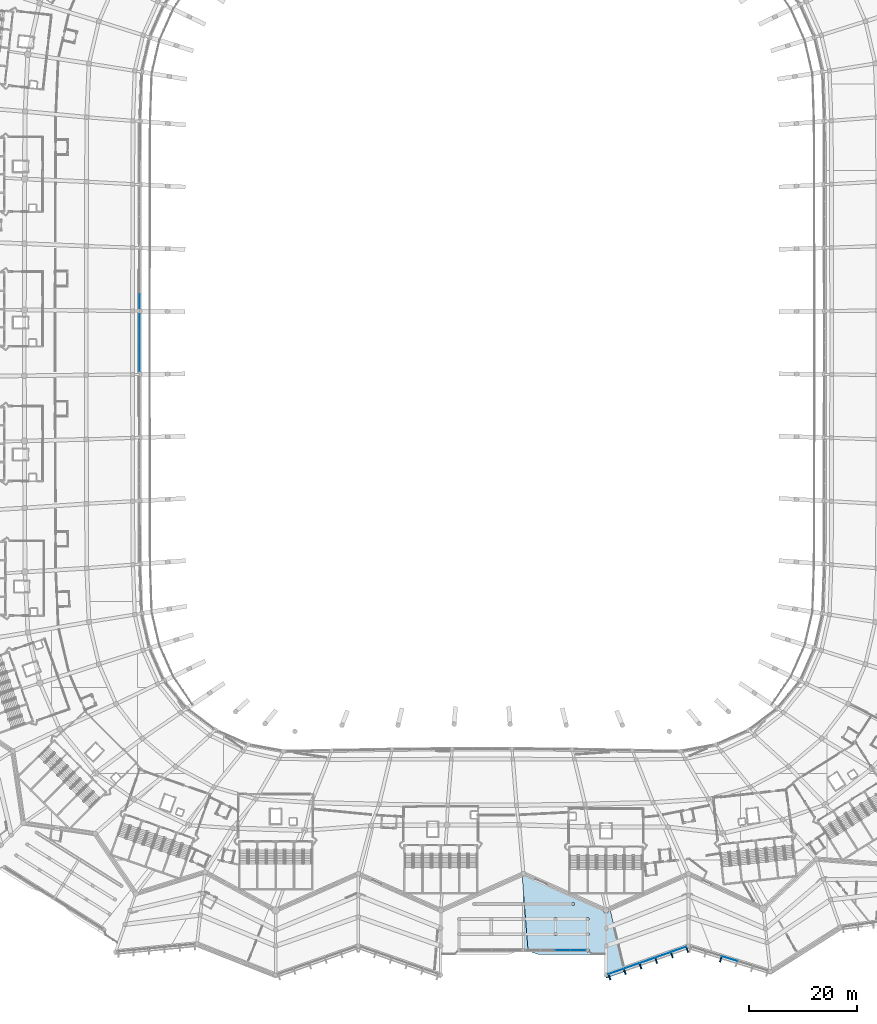
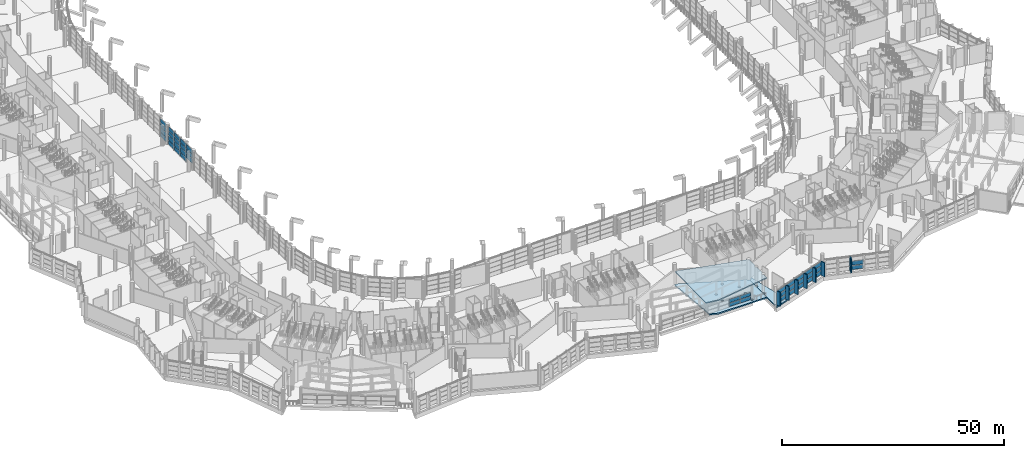
# One storey, part 125 of 271: 47 plates, 3 slabs, 5 elements without a shape of their own.
"""IFC4 building model written with IfcOpenShell, lengths in metres."""

from ifc_helpers import new_model, si_unit, direction, frame, origin, origin_2d, place, context, subcontext, project, spatial, polyline, rectangle, outline, extrude, material, layer, layer_set, type_object, element, aggregate, save


model = new_model("IFC4")

# Units and contexts
model_context = context("Model", 3, precision=1e-05, world=origin(), true_north=direction((0.0, 1.0)))
body_context = subcontext(model_context, "Body", "Model", "MODEL_VIEW")
ifc_project = project(units=[si_unit("LENGTHUNIT", "METRE"), si_unit("AREAUNIT", "SQUARE_METRE"), si_unit("VOLUMEUNIT", "CUBIC_METRE"), si_unit("PLANEANGLEUNIT", "RADIAN"), si_unit("MASSUNIT", "GRAM", prefix="KILO")], contexts=[model_context])

# Site, building, storey
site_placement = place(None, origin())
site = spatial("IfcSite", under=ifc_project, at=site_placement, CompositionType="ELEMENT")
building_placement = place(site_placement, origin())
building = spatial("IfcBuilding", under=site, at=building_placement, Name="Meseta Stadium", CompositionType="ELEMENT")
storey_placement = place(building_placement, frame((0.0, 0.0, 6.5)))
storey = spatial("IfcBuildingStorey", under=building, at=storey_placement, Name="L01", CompositionType="ELEMENT", Elevation=6.5)

# Curtain wall, plates
ifc_material_1 = material(Name="Aluminium", Category="aluminium")
ifc_layer_1 = layer(ifc_material_1, 0.199951171875)
ifc_layer_set_1 = layer_set([ifc_layer_1], Name="Club glazing curtain wall")
curtain_wall_type_1 = type_object("IfcCurtainWallType", Name="Club glazing curtain wall", PredefinedType="NOTDEFINED", material=ifc_layer_set_1)
curtain_wall_1_placement = place(storey_placement, origin())
curtain_wall_1 = element("IfcCurtainWall", 1, at=curtain_wall_1_placement, inside=storey, type_object=curtain_wall_type_1, Name="Club glazing bay 31", PredefinedType="NOTDEFINED")
ifc_material_2 = material(Name="Glass", Category="glass")
ifc_layer_2 = layer(ifc_material_2, 0.028076171875)
ifc_layer_set_2 = layer_set([ifc_layer_2], Name="CW glass panel 28")
plate_type_1 = type_object("IfcPlateType", Name="CW glass panel 28", PredefinedType="CURTAIN_PANEL", material=ifc_layer_set_2)
plate_1_placement = place(storey_placement, frame((-63.596923828125, 7.689697265625, 0.1201171875), z_axis=(0.0, 0.0, 1.0), x_axis=(-0.000924539991, -0.999999572613, 0.0)))
plate_1 = element("IfcPlate", 2, at=plate_1_placement, type_object=plate_type_1, Name="CWC panel 4.1", PredefinedType="CURTAIN_PANEL", context=body_context, shape_type="SweptSolid", body=[
    extrude(rectangle(XDim=2.614013671875, YDim=0.028076171875, at=origin_2d()), origin(), (0.0, 0.0, 1.0), 1.107421875),
])
plate_2_placement = place(storey_placement, frame((-63.596923828125, 7.689697265625, 1.347412109375), z_axis=(0.0, 0.0, 1.0), x_axis=(-0.000924539991, -0.999999572613, 0.0)))
plate_2 = element("IfcPlate", 3, at=plate_2_placement, type_object=plate_type_1, Name="CWC panel 4.2", PredefinedType="CURTAIN_PANEL", context=body_context, shape_type="SweptSolid", body=[
    extrude(rectangle(XDim=2.614013671875, YDim=0.028076171875, at=origin_2d()), origin(), (0.0, 0.0, 1.0), 1.16748046875),
])
plate_3_placement = place(storey_placement, frame((-63.596923828125, 7.689697265625, 2.635009765625), z_axis=(0.0, 0.0, 1.0), x_axis=(-0.000924539991, -0.999999572613, 0.0)))
plate_3 = element("IfcPlate", 4, at=plate_3_placement, type_object=plate_type_1, Name="CWC panel 4.3", PredefinedType="CURTAIN_PANEL", context=body_context, shape_type="SweptSolid", body=[
    extrude(rectangle(XDim=2.614013671875, YDim=0.028076171875, at=origin_2d()), origin(), (0.0, 0.0, 1.0), 1.16748046875),
])
plate_4_placement = place(storey_placement, frame((-63.596923828125, 7.689697265625, 3.922607421875), z_axis=(0.0, 0.0, 1.0), x_axis=(-0.000924539991, -0.999999572613, 0.0)))
plate_4 = element("IfcPlate", 5, at=plate_4_placement, type_object=plate_type_1, Name="CWC panel 4.4", PredefinedType="CURTAIN_PANEL", context=body_context, shape_type="SweptSolid", body=[
    extrude(rectangle(XDim=2.614013671875, YDim=0.028076171875, at=origin_2d()), origin(), (0.0, 0.0, 1.0), 1.107421875),
])
aggregate(curtain_wall_1, [plate_1, plate_2, plate_3, plate_4])

curtain_wall_2_placement = place(storey_placement, origin())
curtain_wall_2 = element("IfcCurtainWall", 6, at=curtain_wall_2_placement, inside=storey, type_object=curtain_wall_type_1, Name="Club glazing bay 32", PredefinedType="NOTDEFINED")
plate_5_placement = place(storey_placement, frame((-63.5986328125, 4.0302734375, 0.1201171875), z_axis=(0.0, 0.0, 1.0), x_axis=(0.0, -1.0, 0.0)))
plate_5 = element("IfcPlate", 7, at=plate_5_placement, type_object=plate_type_1, Name="CWC panel 1.1", PredefinedType="CURTAIN_PANEL", context=body_context, shape_type="SweptSolid", body=[
    extrude(rectangle(XDim=2.60693359375, YDim=0.028076171875, at=origin_2d()), origin(), (0.0, 0.0, 1.0), 1.107421875),
])
plate_6_placement = place(storey_placement, frame((-63.5986328125, 4.0302734375, 1.347412109375), z_axis=(0.0, 0.0, 1.0), x_axis=(0.0, -1.0, 0.0)))
plate_6 = element("IfcPlate", 8, at=plate_6_placement, type_object=plate_type_1, Name="CWC panel 1.2", PredefinedType="CURTAIN_PANEL", context=body_context, shape_type="SweptSolid", body=[
    extrude(rectangle(XDim=2.60693359375, YDim=0.028076171875, at=origin_2d()), origin(), (0.0, 0.0, 1.0), 1.16748046875),
])
plate_7_placement = place(storey_placement, frame((-63.5986328125, 4.0302734375, 2.635009765625), z_axis=(0.0, 0.0, 1.0), x_axis=(0.0, -1.0, 0.0)))
plate_7 = element("IfcPlate", 9, at=plate_7_placement, type_object=plate_type_1, Name="CWC panel 1.3", PredefinedType="CURTAIN_PANEL", context=body_context, shape_type="SweptSolid", body=[
    extrude(rectangle(XDim=2.60693359375, YDim=0.028076171875, at=origin_2d()), origin(), (0.0, 0.0, 1.0), 1.16748046875),
])
plate_8_placement = place(storey_placement, frame((-63.5986328125, 4.0302734375, 3.922607421875), z_axis=(0.0, 0.0, 1.0), x_axis=(0.0, -1.0, 0.0)))
plate_8 = element("IfcPlate", 10, at=plate_8_placement, type_object=plate_type_1, Name="CWC panel 1.4", PredefinedType="CURTAIN_PANEL", context=body_context, shape_type="SweptSolid", body=[
    extrude(rectangle(XDim=2.60693359375, YDim=0.028076171875, at=origin_2d()), origin(), (0.0, 0.0, 1.0), 1.107421875),
])
plate_9_placement = place(storey_placement, frame((-63.5986328125, 1.348388671875, 0.1201171875), z_axis=(0.0, 0.0, 1.0), x_axis=(0.0, -1.0, 0.0)))
plate_9 = element("IfcPlate", 11, at=plate_9_placement, type_object=plate_type_1, Name="CWC panel 2.1", PredefinedType="CURTAIN_PANEL", context=body_context, shape_type="SweptSolid", body=[
    extrude(rectangle(XDim=2.636962890625, YDim=0.028076171875, at=origin_2d()), origin(), (0.0, 0.0, 1.0), 1.107421875),
])
plate_10_placement = place(storey_placement, frame((-63.5986328125, 1.348388671875, 1.347412109375), z_axis=(0.0, 0.0, 1.0), x_axis=(0.0, -1.0, 0.0)))
plate_10 = element("IfcPlate", 12, at=plate_10_placement, type_object=plate_type_1, Name="CWC panel 2.2", PredefinedType="CURTAIN_PANEL", context=body_context, shape_type="SweptSolid", body=[
    extrude(rectangle(XDim=2.636962890625, YDim=0.028076171875, at=origin_2d()), origin(), (0.0, 0.0, 1.0), 1.16748046875),
])
plate_11_placement = place(storey_placement, frame((-63.5986328125, 1.348388671875, 2.635009765625), z_axis=(0.0, 0.0, 1.0), x_axis=(0.0, -1.0, 0.0)))
plate_11 = element("IfcPlate", 13, at=plate_11_placement, type_object=plate_type_1, Name="CWC panel 2.3", PredefinedType="CURTAIN_PANEL", context=body_context, shape_type="SweptSolid", body=[
    extrude(rectangle(XDim=2.636962890625, YDim=0.028076171875, at=origin_2d()), origin(), (0.0, 0.0, 1.0), 1.16748046875),
])
plate_12_placement = place(storey_placement, frame((-63.5986328125, 1.348388671875, 3.922607421875), z_axis=(0.0, 0.0, 1.0), x_axis=(0.0, -1.0, 0.0)))
plate_12 = element("IfcPlate", 14, at=plate_12_placement, type_object=plate_type_1, Name="CWC panel 2.4", PredefinedType="CURTAIN_PANEL", context=body_context, shape_type="SweptSolid", body=[
    extrude(rectangle(XDim=2.636962890625, YDim=0.028076171875, at=origin_2d()), origin(), (0.0, 0.0, 1.0), 1.107421875),
])
plate_13_placement = place(storey_placement, frame((-63.5986328125, -1.348388671875, 0.1201171875), z_axis=(0.0, 0.0, 1.0), x_axis=(0.0, -1.0, 0.0)))
plate_13 = element("IfcPlate", 15, at=plate_13_placement, type_object=plate_type_1, Name="CWC panel 3.1", PredefinedType="CURTAIN_PANEL", context=body_context, shape_type="SweptSolid", body=[
    extrude(rectangle(XDim=2.636962890625, YDim=0.028076171875, at=origin_2d()), origin(), (0.0, 0.0, 1.0), 1.107421875),
])
plate_14_placement = place(storey_placement, frame((-63.5986328125, -1.348388671875, 1.347412109375), z_axis=(0.0, 0.0, 1.0), x_axis=(0.0, -1.0, 0.0)))
plate_14 = element("IfcPlate", 16, at=plate_14_placement, type_object=plate_type_1, Name="CWC panel 3.2", PredefinedType="CURTAIN_PANEL", context=body_context, shape_type="SweptSolid", body=[
    extrude(rectangle(XDim=2.636962890625, YDim=0.028076171875, at=origin_2d()), origin(), (0.0, 0.0, 1.0), 1.16748046875),
])
plate_15_placement = place(storey_placement, frame((-63.5986328125, -1.348388671875, 2.635009765625), z_axis=(0.0, 0.0, 1.0), x_axis=(0.0, -1.0, 0.0)))
plate_15 = element("IfcPlate", 17, at=plate_15_placement, type_object=plate_type_1, Name="CWC panel 3.3", PredefinedType="CURTAIN_PANEL", context=body_context, shape_type="SweptSolid", body=[
    extrude(rectangle(XDim=2.636962890625, YDim=0.028076171875, at=origin_2d()), origin(), (0.0, 0.0, 1.0), 1.16748046875),
])
plate_16_placement = place(storey_placement, frame((-63.5986328125, -1.348388671875, 3.922607421875), z_axis=(0.0, 0.0, 1.0), x_axis=(0.0, -1.0, 0.0)))
plate_16 = element("IfcPlate", 18, at=plate_16_placement, type_object=plate_type_1, Name="CWC panel 3.4", PredefinedType="CURTAIN_PANEL", context=body_context, shape_type="SweptSolid", body=[
    extrude(rectangle(XDim=2.636962890625, YDim=0.028076171875, at=origin_2d()), origin(), (0.0, 0.0, 1.0), 1.107421875),
])
plate_17_placement = place(storey_placement, frame((-63.5986328125, -4.0302734375, 1.347412109375), z_axis=(0.0, 0.0, 1.0), x_axis=(0.0, -1.0, 0.0)))
plate_17 = element("IfcPlate", 19, at=plate_17_placement, type_object=plate_type_1, Name="CWC panel 4.2", PredefinedType="CURTAIN_PANEL", context=body_context, shape_type="SweptSolid", body=[
    extrude(rectangle(XDim=2.60693359375, YDim=0.028076171875, at=origin_2d()), origin(), (0.0, 0.0, 1.0), 1.16748046875),
])
plate_18_placement = place(storey_placement, frame((-63.5986328125, -4.0302734375, 2.635009765625), z_axis=(0.0, 0.0, 1.0), x_axis=(0.0, -1.0, 0.0)))
plate_18 = element("IfcPlate", 20, at=plate_18_placement, type_object=plate_type_1, Name="CWC panel 4.3", PredefinedType="CURTAIN_PANEL", context=body_context, shape_type="SweptSolid", body=[
    extrude(rectangle(XDim=2.60693359375, YDim=0.028076171875, at=origin_2d()), origin(), (0.0, 0.0, 1.0), 1.16748046875),
])
plate_19_placement = place(storey_placement, frame((-63.5986328125, -4.0302734375, 3.922607421875), z_axis=(0.0, 0.0, 1.0), x_axis=(0.0, -1.0, 0.0)))
plate_19 = element("IfcPlate", 21, at=plate_19_placement, type_object=plate_type_1, Name="CWC panel 4.4", PredefinedType="CURTAIN_PANEL", context=body_context, shape_type="SweptSolid", body=[
    extrude(rectangle(XDim=2.60693359375, YDim=0.028076171875, at=origin_2d()), origin(), (0.0, 0.0, 1.0), 1.107421875),
])
aggregate(curtain_wall_2, [plate_5, plate_6, plate_7, plate_8, plate_9, plate_10, plate_11, plate_12, plate_13, plate_14, plate_15, plate_16, plate_17, plate_18, plate_19])

# Slabs
ifc_material_3 = material(Name="Concrete C40/50", Category="concrete")
ifc_layer_3 = layer(ifc_material_3, 0.35009765625)
ifc_layer_set_3 = layer_set([ifc_layer_3], Name="Floor slab 350")
slab_type_1 = type_object("IfcSlabType", Name="Floor slab 350", PredefinedType="FLOOR", material=ifc_layer_set_3)
slab_1_placement = place(storey_placement, frame((0.0, 0.0, -0.35009765625)))
element("IfcSlab", 22, at=slab_1_placement, inside=storey, type_object=slab_type_1, Name="Gate hall floor slab 7 panel 02", PredefinedType="FLOOR", context=body_context, shape_type="SweptSolid", body=[
    extrude(outline(polyline([(7.859619140625, -104.43017578125), (8.531982421875, -112.90478515625), (10.506103515625, -113.60009765625), (23.0, -113.60009765625), (23.0, -105.904296875), (22.869384765625, -105.88720703125), (22.747802734375, -105.836669921875), (22.643310546875, -105.756591796875), (22.563232421875, -105.652099609375), (22.512939453125, -105.530517578125), (22.49560546875, -105.39990234375), (22.4990234375, -105.374755859375), (7.972412109375, -98.9326171875), (7.8935546875, -98.9931640625), (7.7841796875, -99.038330078125), (7.666748046875, -99.053955078125), (7.54931640625, -99.038330078125), (7.439697265625, -98.9931640625), (7.42724609375, -98.9833984375), (7.820556640625, -103.93994140625), (7.880615234375, -103.986083984375), (7.9287109375, -104.048583984375), (7.958984375, -104.12158203125), (7.96923828125, -104.199951171875), (7.958984375, -104.2783203125), (7.9287109375, -104.351318359375), (7.880615234375, -104.4140625), (7.859619140625, -104.43017578125)]), holes=[polyline([(19.44873046875, -110.06201171875), (19.385986328125, -110.013916015625), (19.337890625, -109.951416015625), (19.3076171875, -109.87841796875), (19.29736328125, -109.800048828125), (19.3076171875, -109.7216796875), (19.337890625, -109.648681640625), (19.385986328125, -109.5859375), (19.44873046875, -109.5380859375), (19.521728515625, -109.5078125), (19.60009765625, -109.497314453125), (19.67822265625, -109.5078125), (19.751220703125, -109.5380859375), (19.81396484375, -109.5859375), (19.862060546875, -109.648681640625), (19.892333984375, -109.7216796875), (19.902587890625, -109.800048828125), (19.892333984375, -109.87841796875), (19.862060546875, -109.951416015625), (19.81396484375, -110.013916015625), (19.751220703125, -110.06201171875), (19.67822265625, -110.09228515625), (19.60009765625, -110.1025390625), (19.521728515625, -110.09228515625), (19.44873046875, -110.06201171875)]), polyline([(19.44873046875, -112.5380859375), (19.521728515625, -112.5078125), (19.60009765625, -112.497314453125), (19.67822265625, -112.5078125), (19.751220703125, -112.5380859375), (19.81396484375, -112.5859375), (19.862060546875, -112.648681640625), (19.892333984375, -112.7216796875), (19.902587890625, -112.800048828125), (19.892333984375, -112.87841796875), (19.862060546875, -112.951416015625), (19.81396484375, -113.013916015625), (19.751220703125, -113.06201171875), (19.67822265625, -113.09228515625), (19.60009765625, -113.1025390625), (19.521728515625, -113.09228515625), (19.44873046875, -113.06201171875), (19.385986328125, -113.013916015625), (19.337890625, -112.951416015625), (19.3076171875, -112.87841796875), (19.29736328125, -112.800048828125), (19.3076171875, -112.7216796875), (19.337890625, -112.648681640625), (19.385986328125, -112.5859375), (19.44873046875, -112.5380859375)]), polyline([(13.371337890625, -107.1513671875), (13.341064453125, -107.078369140625), (13.330810546875, -107.0), (13.341064453125, -106.921630859375), (13.371337890625, -106.8486328125), (13.41943359375, -106.785888671875), (13.48193359375, -106.738037109375), (13.554931640625, -106.707763671875), (13.63330078125, -106.697509765625), (13.711669921875, -106.707763671875), (13.78466796875, -106.738037109375), (13.847412109375, -106.785888671875), (13.8955078125, -106.8486328125), (13.925537109375, -106.921630859375), (13.935791015625, -107.0), (13.925537109375, -107.078369140625), (13.8955078125, -107.1513671875), (13.847412109375, -107.214111328125), (13.78466796875, -107.261962890625), (13.711669921875, -107.292236328125), (13.63330078125, -107.302490234375), (13.554931640625, -107.292236328125), (13.48193359375, -107.261962890625), (13.41943359375, -107.214111328125), (13.371337890625, -107.1513671875)]), polyline([(19.337890625, -107.1513671875), (19.3076171875, -107.078369140625), (19.29736328125, -107.0), (19.3076171875, -106.921630859375), (19.337890625, -106.8486328125), (19.385986328125, -106.785888671875), (19.44873046875, -106.738037109375), (19.521728515625, -106.707763671875), (19.60009765625, -106.697509765625), (19.67822265625, -106.707763671875), (19.751220703125, -106.738037109375), (19.81396484375, -106.785888671875), (19.862060546875, -106.8486328125), (19.892333984375, -106.921630859375), (19.902587890625, -107.0), (19.892333984375, -107.078369140625), (19.862060546875, -107.1513671875), (19.81396484375, -107.214111328125), (19.751220703125, -107.261962890625), (19.67822265625, -107.292236328125), (19.60009765625, -107.302490234375), (19.521728515625, -107.292236328125), (19.44873046875, -107.261962890625), (19.385986328125, -107.214111328125), (19.337890625, -107.1513671875)]), polyline([(13.371337890625, -109.951416015625), (13.341064453125, -109.87841796875), (13.330810546875, -109.800048828125), (13.341064453125, -109.7216796875), (13.371337890625, -109.648681640625), (13.41943359375, -109.5859375), (13.48193359375, -109.5380859375), (13.554931640625, -109.5078125), (13.63330078125, -109.497314453125), (13.711669921875, -109.5078125), (13.78466796875, -109.5380859375), (13.847412109375, -109.5859375), (13.8955078125, -109.648681640625), (13.925537109375, -109.7216796875), (13.935791015625, -109.800048828125), (13.925537109375, -109.87841796875), (13.8955078125, -109.951416015625), (13.847412109375, -110.013916015625), (13.78466796875, -110.06201171875), (13.711669921875, -110.09228515625), (13.63330078125, -110.1025390625), (13.554931640625, -110.09228515625), (13.48193359375, -110.06201171875), (13.41943359375, -110.013916015625), (13.371337890625, -109.951416015625)]), polyline([(16.69873046875, -104.4619140625), (16.63623046875, -104.4140625), (16.588134765625, -104.351318359375), (16.557861328125, -104.2783203125), (16.547607421875, -104.199951171875), (16.557861328125, -104.12158203125), (16.588134765625, -104.048583984375), (16.63623046875, -103.986083984375), (16.69873046875, -103.93798828125), (16.771728515625, -103.90771484375), (16.85009765625, -103.8974609375), (16.928466796875, -103.90771484375), (17.00146484375, -103.93798828125), (17.064208984375, -103.986083984375), (17.1123046875, -104.048583984375), (17.142333984375, -104.12158203125), (17.152587890625, -104.199951171875), (17.142333984375, -104.2783203125), (17.1123046875, -104.351318359375), (17.064208984375, -104.4140625), (17.00146484375, -104.4619140625), (16.928466796875, -104.4921875), (16.85009765625, -104.502685546875), (16.771728515625, -104.4921875), (16.69873046875, -104.4619140625)])]), origin(), (0.0, 0.0, 1.0), 0.35009765625),
])
slab_2_placement = place(storey_placement, frame((0.0, 0.0, -0.35009765625)))
element("IfcSlab", 23, at=slab_2_placement, inside=storey, type_object=slab_type_1, Name="Ring floor slab L01 7 part 1 panel 01", PredefinedType="FLOOR", context=body_context, shape_type="SweptSolid", body=[
    extrude(outline(polyline([(23.767578125, -105.2236328125), (23.496826171875, -105.34375), (23.50439453125, -105.39990234375), (23.487060546875, -105.530517578125), (23.436767578125, -105.652099609375), (23.356689453125, -105.756591796875), (23.252197265625, -105.836669921875), (23.130615234375, -105.88720703125), (23.0, -105.904296875), (23.0, -108.29638671875), (23.1044921875, -108.310302734375), (23.20166015625, -108.3505859375), (23.285400390625, -108.414794921875), (23.349365234375, -108.498291015625), (23.37158203125, -108.552001953125), (23.3896484375, -108.595703125), (23.403564453125, -108.699951171875), (23.3896484375, -108.804443359375), (23.349365234375, -108.901611328125), (23.285400390625, -108.9853515625), (23.20166015625, -109.04931640625), (23.1044921875, -109.089599609375), (23.0, -109.103515625), (23.0, -111.596435546875), (23.1044921875, -111.6103515625), (23.20166015625, -111.650634765625), (23.285400390625, -111.714599609375), (23.349365234375, -111.79833984375), (23.3896484375, -111.8955078125), (23.403564453125, -112.0), (23.3896484375, -112.1044921875), (23.349365234375, -112.20166015625), (23.285400390625, -112.285400390625), (23.20166015625, -112.349365234375), (23.1044921875, -112.3896484375), (23.0, -112.403564453125), (23.0, -116.99658203125), (23.1044921875, -117.01025390625), (23.20166015625, -117.050537109375), (23.285400390625, -117.11474609375), (23.349365234375, -117.1982421875), (23.3896484375, -117.295654296875), (23.403564453125, -117.39990234375), (23.3896484375, -117.50439453125), (23.349365234375, -117.601806640625), (23.285400390625, -117.685302734375), (23.20166015625, -117.74951171875), (23.1044921875, -117.789794921875), (23.0, -117.803466796875), (23.0, -118.0), (26.514892578125, -116.76220703125), (23.767578125, -105.2236328125)])), origin(), (0.0, 0.0, 1.0), 0.35009765625),
])
ifc_material_4 = material(Name="Concrete C40/50", Category="concrete")
ifc_layer_4 = layer(ifc_material_4, 0.300048828125)
ifc_layer_set_4 = layer_set([ifc_layer_4], Name="Gate roof plate 300")
slab_type_2 = type_object("IfcSlabType", Name="Gate roof plate 300", PredefinedType="ROOF", material=ifc_layer_set_4)
slab_3_placement = place(storey_placement, frame((23.0, -113.60009765625, 5.367919921875), z_axis=(-0.138626291387, -0.019802302062, 0.990146766984), x_axis=(1.678586e-06, 0.999800068064, 0.019995596922)))
element("IfcSlab", 24, at=slab_3_placement, inside=storey, type_object=slab_type_2, Name="Gate 7 butterfly roof wing", PredefinedType="ROOF", context=body_context, shape_type="SweptSolid", body=[
    extrude(outline(polyline([(0.0, 0.0), (8.004776157907482, 0.0), (14.763233710626649, 15.482752183496082), (0.9572495142582244, 15.482738127618877), (-0.03499373974458992, 12.615677062618307), (0.0, 0.0)])), origin(), (0.0, 0.0, -1.0), 0.300048828125),
])

# Curtain wall, plates
ifc_material_5 = material(Name="Aluminium", Category="aluminium")
ifc_layer_5 = layer(ifc_material_5, 0.199951171875)
ifc_layer_set_5 = layer_set([ifc_layer_5], Name="Ring shopfront curtain wall")
curtain_wall_type_2 = type_object("IfcCurtainWallType", Name="Ring shopfront curtain wall", PredefinedType="NOTDEFINED", material=ifc_layer_set_5)
curtain_wall_3_placement = place(storey_placement, origin())
curtain_wall_3 = element("IfcCurtainWall", 25, at=curtain_wall_3_placement, inside=storey, type_object=curtain_wall_type_2, Name="Ring glazing L01 F48", PredefinedType="NOTDEFINED")
ifc_material_6 = material(Name="Glass", Category="glass")
ifc_layer_6 = layer(ifc_material_6, 0.035888671875)
ifc_layer_set_6 = layer_set([ifc_layer_6], Name="Ring CW glass panel 36")
plate_type_2 = type_object("IfcPlateType", Name="Ring CW glass panel 36", PredefinedType="CURTAIN_PANEL", material=ifc_layer_set_6)
plate_20_placement = place(storey_placement, frame((24.849365234375, -116.748779296875, 0.14990234375), z_axis=(0.0, 0.0, 1.0), x_axis=(0.943218009999, 0.332174330154, 0.0)))
plate_20 = element("IfcPlate", 26, at=plate_20_placement, type_object=plate_type_2, Name="CWR1 panel 1.1", PredefinedType="CURTAIN_PANEL", context=body_context, shape_type="SweptSolid", body=[
    extrude(rectangle(XDim=3.001220703125, YDim=0.035888671875, at=origin_2d()), origin(), (0.0, 0.0, 1.0), 1.058349609375),
])
plate_21_placement = place(storey_placement, frame((24.849365234375, -116.748779296875, 1.3583984375), z_axis=(0.0, 0.0, 1.0), x_axis=(0.943218009999, 0.332174330154, 0.0)))
plate_21 = element("IfcPlate", 27, at=plate_21_placement, type_object=plate_type_2, Name="CWR1 panel 1.2", PredefinedType="CURTAIN_PANEL", context=body_context, shape_type="SweptSolid", body=[
    extrude(rectangle(XDim=3.001220703125, YDim=0.035888671875, at=origin_2d()), origin(), (0.0, 0.0, 1.0), 1.13330078125),
])
plate_22_placement = place(storey_placement, frame((24.849365234375, -116.748779296875, 2.6416015625), z_axis=(0.0, 0.0, 1.0), x_axis=(0.943218009999, 0.332174330154, 0.0)))
plate_22 = element("IfcPlate", 28, at=plate_22_placement, type_object=plate_type_2, Name="CWR1 panel 1.3", PredefinedType="CURTAIN_PANEL", context=body_context, shape_type="SweptSolid", body=[
    extrude(rectangle(XDim=3.001220703125, YDim=0.035888671875, at=origin_2d()), origin(), (0.0, 0.0, 1.0), 1.058349609375),
])
plate_23_placement = place(storey_placement, frame((27.7509765625, -115.726806640625, 0.14990234375), z_axis=(0.0, 0.0, 1.0), x_axis=(0.943218009999, 0.332174330154, 0.0)))
plate_23 = element("IfcPlate", 29, at=plate_23_placement, type_object=plate_type_2, Name="CWR1 panel 2.1", PredefinedType="CURTAIN_PANEL", context=body_context, shape_type="SweptSolid", body=[
    extrude(rectangle(XDim=3.03125, YDim=0.035888671875, at=origin_2d()), origin(), (0.0, 0.0, 1.0), 1.058349609375),
])
plate_24_placement = place(storey_placement, frame((27.7509765625, -115.726806640625, 1.3583984375), z_axis=(0.0, 0.0, 1.0), x_axis=(0.943218009999, 0.332174330154, 0.0)))
plate_24 = element("IfcPlate", 30, at=plate_24_placement, type_object=plate_type_2, Name="CWR1 panel 2.2", PredefinedType="CURTAIN_PANEL", context=body_context, shape_type="SweptSolid", body=[
    extrude(rectangle(XDim=3.03125, YDim=0.035888671875, at=origin_2d()), origin(), (0.0, 0.0, 1.0), 1.13330078125),
])
plate_25_placement = place(storey_placement, frame((27.7509765625, -115.726806640625, 2.6416015625), z_axis=(0.0, 0.0, 1.0), x_axis=(0.943218009999, 0.332174330154, 0.0)))
plate_25 = element("IfcPlate", 31, at=plate_25_placement, type_object=plate_type_2, Name="CWR1 panel 2.3", PredefinedType="CURTAIN_PANEL", context=body_context, shape_type="SweptSolid", body=[
    extrude(rectangle(XDim=3.03125, YDim=0.035888671875, at=origin_2d()), origin(), (0.0, 0.0, 1.0), 1.058349609375),
])
plate_26_placement = place(storey_placement, frame((30.666748046875, -114.699951171875, 0.14990234375), z_axis=(0.0, 0.0, 1.0), x_axis=(0.943218009999, 0.332174330154, 0.0)))
plate_26 = element("IfcPlate", 32, at=plate_26_placement, type_object=plate_type_2, Name="CWR1 panel 3.1", PredefinedType="CURTAIN_PANEL", context=body_context, shape_type="SweptSolid", body=[
    extrude(rectangle(XDim=3.03125, YDim=0.035888671875, at=origin_2d()), origin(), (0.0, 0.0, 1.0), 1.058349609375),
])
plate_27_placement = place(storey_placement, frame((30.666748046875, -114.699951171875, 1.3583984375), z_axis=(0.0, 0.0, 1.0), x_axis=(0.943218009999, 0.332174330154, 0.0)))
plate_27 = element("IfcPlate", 33, at=plate_27_placement, type_object=plate_type_2, Name="CWR1 panel 3.2", PredefinedType="CURTAIN_PANEL", context=body_context, shape_type="SweptSolid", body=[
    extrude(rectangle(XDim=3.03125, YDim=0.035888671875, at=origin_2d()), origin(), (0.0, 0.0, 1.0), 1.13330078125),
])
plate_28_placement = place(storey_placement, frame((30.666748046875, -114.699951171875, 2.6416015625), z_axis=(0.0, 0.0, 1.0), x_axis=(0.943218009999, 0.332174330154, 0.0)))
plate_28 = element("IfcPlate", 34, at=plate_28_placement, type_object=plate_type_2, Name="CWR1 panel 3.3", PredefinedType="CURTAIN_PANEL", context=body_context, shape_type="SweptSolid", body=[
    extrude(rectangle(XDim=3.03125, YDim=0.035888671875, at=origin_2d()), origin(), (0.0, 0.0, 1.0), 1.058349609375),
])
plate_29_placement = place(storey_placement, frame((33.582275390625, -113.673095703125, 0.14990234375), z_axis=(0.0, 0.0, 1.0), x_axis=(0.943218009999, 0.332174330154, 0.0)))
plate_29 = element("IfcPlate", 35, at=plate_29_placement, type_object=plate_type_2, Name="CWR1 panel 4.1", PredefinedType="CURTAIN_PANEL", context=body_context, shape_type="SweptSolid", body=[
    extrude(rectangle(XDim=3.03125, YDim=0.035888671875, at=origin_2d()), origin(), (0.0, 0.0, 1.0), 1.058349609375),
])
plate_30_placement = place(storey_placement, frame((33.582275390625, -113.673095703125, 1.3583984375), z_axis=(0.0, 0.0, 1.0), x_axis=(0.943218009999, 0.332174330154, 0.0)))
plate_30 = element("IfcPlate", 36, at=plate_30_placement, type_object=plate_type_2, Name="CWR1 panel 4.2", PredefinedType="CURTAIN_PANEL", context=body_context, shape_type="SweptSolid", body=[
    extrude(rectangle(XDim=3.03125, YDim=0.035888671875, at=origin_2d()), origin(), (0.0, 0.0, 1.0), 1.13330078125),
])
plate_31_placement = place(storey_placement, frame((33.582275390625, -113.673095703125, 2.6416015625), z_axis=(0.0, 0.0, 1.0), x_axis=(0.943218009999, 0.332174330154, 0.0)))
plate_31 = element("IfcPlate", 37, at=plate_31_placement, type_object=plate_type_2, Name="CWR1 panel 4.3", PredefinedType="CURTAIN_PANEL", context=body_context, shape_type="SweptSolid", body=[
    extrude(rectangle(XDim=3.03125, YDim=0.035888671875, at=origin_2d()), origin(), (0.0, 0.0, 1.0), 1.058349609375),
])
plate_32_placement = place(storey_placement, frame((36.48388671875, -112.6513671875, 0.14990234375), z_axis=(0.0, 0.0, 1.0), x_axis=(0.943218009999, 0.332174330154, 0.0)))
plate_32 = element("IfcPlate", 38, at=plate_32_placement, type_object=plate_type_2, Name="CWR1 panel 5.1", PredefinedType="CURTAIN_PANEL", context=body_context, shape_type="SweptSolid", body=[
    extrude(rectangle(XDim=3.001220703125, YDim=0.035888671875, at=origin_2d()), origin(), (0.0, 0.0, 1.0), 1.058349609375),
])
plate_33_placement = place(storey_placement, frame((36.48388671875, -112.6513671875, 1.3583984375), z_axis=(0.0, 0.0, 1.0), x_axis=(0.943218009999, 0.332174330154, 0.0)))
plate_33 = element("IfcPlate", 39, at=plate_33_placement, type_object=plate_type_2, Name="CWR1 panel 5.2", PredefinedType="CURTAIN_PANEL", context=body_context, shape_type="SweptSolid", body=[
    extrude(rectangle(XDim=3.001220703125, YDim=0.035888671875, at=origin_2d()), origin(), (0.0, 0.0, 1.0), 1.13330078125),
])
plate_34_placement = place(storey_placement, frame((36.48388671875, -112.6513671875, 2.6416015625), z_axis=(0.0, 0.0, 1.0), x_axis=(0.943218009999, 0.332174330154, 0.0)))
plate_34 = element("IfcPlate", 40, at=plate_34_placement, type_object=plate_type_2, Name="CWR1 panel 5.3", PredefinedType="CURTAIN_PANEL", context=body_context, shape_type="SweptSolid", body=[
    extrude(rectangle(XDim=3.001220703125, YDim=0.035888671875, at=origin_2d()), origin(), (0.0, 0.0, 1.0), 1.058349609375),
])
aggregate(curtain_wall_3, [plate_20, plate_21, plate_22, plate_23, plate_24, plate_25, plate_26, plate_27, plate_28, plate_29, plate_30, plate_31, plate_32, plate_33, plate_34])

curtain_wall_4_placement = place(storey_placement, origin())
curtain_wall_4 = element("IfcCurtainWall", 41, at=curtain_wall_4_placement, inside=storey, type_object=curtain_wall_type_2, Name="Ring glazing L01 F49", PredefinedType="NOTDEFINED")
plate_35_placement = place(storey_placement, frame((45.926513671875, -114.369140625, 0.14990234375), z_axis=(0.0, 0.0, 1.0), x_axis=(0.95460920309, -0.297861157885, 0.0)))
plate_35 = element("IfcPlate", 42, at=plate_35_placement, type_object=plate_type_2, Name="CWR1 panel 3.1", PredefinedType="CURTAIN_PANEL", context=body_context, shape_type="SweptSolid", body=[
    extrude(rectangle(XDim=2.961669921875, YDim=0.035888671875, at=origin_2d()), origin(), (0.0, 0.0, 1.0), 1.058349609375),
])
plate_36_placement = place(storey_placement, frame((45.926513671875, -114.369140625, 1.3583984375), z_axis=(0.0, 0.0, 1.0), x_axis=(0.95460920309, -0.297861157885, 0.0)))
plate_36 = element("IfcPlate", 43, at=plate_36_placement, type_object=plate_type_2, Name="CWR1 panel 3.2", PredefinedType="CURTAIN_PANEL", context=body_context, shape_type="SweptSolid", body=[
    extrude(rectangle(XDim=2.961669921875, YDim=0.035888671875, at=origin_2d()), origin(), (0.0, 0.0, 1.0), 1.13330078125),
])
aggregate(curtain_wall_4, [plate_35, plate_36])

ifc_material_7 = material(Name="Aluminium", Category="aluminium")
ifc_layer_7 = layer(ifc_material_7, 0.199951171875)
ifc_layer_set_7 = layer_set([ifc_layer_7], Name="Gate hall curtain wall")
curtain_wall_type_3 = type_object("IfcCurtainWallType", Name="Gate hall curtain wall", PredefinedType="NOTDEFINED", material=ifc_layer_set_7)
curtain_wall_5_placement = place(storey_placement, origin())
curtain_wall_5 = element("IfcCurtainWall", 44, at=curtain_wall_5_placement, inside=storey, type_object=curtain_wall_type_3, Name="Gate 7 hall glazing", PredefinedType="NOTDEFINED")
plate_37_placement = place(storey_placement, frame((17.868408203125, -112.800048828125, 0.14990234375), z_axis=(0.0, 0.0, 1.0), x_axis=(-1.0, 0.0, 0.0)))
plate_37 = element("IfcPlate", 45, at=plate_37_placement, type_object=plate_type_2, Name="CWG1 panel 1.1", PredefinedType="CURTAIN_PANEL", context=body_context, shape_type="SweptSolid", body=[
    extrude(rectangle(XDim=2.743408203125, YDim=0.035888671875, at=origin_2d()), origin(), (0.0, 0.0, 1.0), 0.924560546875),
])
plate_38_placement = place(storey_placement, frame((17.868408203125, -112.800048828125, 1.224609375), z_axis=(0.0, 0.0, 1.0), x_axis=(-1.0, 0.0, 0.0)))
plate_38 = element("IfcPlate", 46, at=plate_38_placement, type_object=plate_type_2, Name="CWG1 panel 1.2", PredefinedType="CURTAIN_PANEL", context=body_context, shape_type="SweptSolid", body=[
    extrude(rectangle(XDim=2.743408203125, YDim=0.035888671875, at=origin_2d()), origin(), (0.0, 0.0, 1.0), 0.924560546875),
])
plate_39_placement = place(storey_placement, frame((15.050048828125, -112.800048828125, 0.14990234375), z_axis=(0.0, 0.0, 1.0), x_axis=(-1.0, 0.0, 0.0)))
plate_39 = element("IfcPlate", 47, at=plate_39_placement, type_object=plate_type_2, Name="CWG1 panel 2.1", PredefinedType="CURTAIN_PANEL", context=body_context, shape_type="SweptSolid", body=[
    extrude(rectangle(XDim=2.7734375, YDim=0.035888671875, at=origin_2d()), origin(), (0.0, 0.0, 1.0), 0.924560546875),
])
plate_40_placement = place(storey_placement, frame((15.050048828125, -112.800048828125, 1.224609375), z_axis=(0.0, 0.0, 1.0), x_axis=(-1.0, 0.0, 0.0)))
plate_40 = element("IfcPlate", 48, at=plate_40_placement, type_object=plate_type_2, Name="CWG1 panel 2.2", PredefinedType="CURTAIN_PANEL", context=body_context, shape_type="SweptSolid", body=[
    extrude(rectangle(XDim=2.7734375, YDim=0.035888671875, at=origin_2d()), origin(), (0.0, 0.0, 1.0), 0.924560546875),
])
aggregate(curtain_wall_5, [plate_37, plate_38, plate_39, plate_40])

# Plates
ifc_material_8 = material(Name="Precast concrete C40/50", Category="concrete")
ifc_layer_8 = layer(ifc_material_8, 0.25)
ifc_layer_set_8 = layer_set([ifc_layer_8], Name="Ring brise-soleil fin 250x1000")
plate_type_3 = type_object("IfcPlateType", Name="Ring brise-soleil fin 250x1000", PredefinedType="USERDEFINED", material=ifc_layer_set_8)
for number, where, z_axis, x_axis, name in (
    (49, (23.647216796875, -117.80810546875, 0.0), (0.0, 0.0, 1.0), (0.943217440256, 0.33217594795, 0.0), "Brise-soleil fin L01 F48.1"),
    (50, (26.4921875, -116.80615234375, 0.0), (0.0, 0.0, 1.0), (0.943217440256, 0.33217594795, 0.0), "Brise-soleil fin L01 F48.2"),
    (51, (29.408203125, -115.779296875, 0.0), (0.0, 0.0, 1.0), (0.943217440256, 0.33217594795, 0.0), "Brise-soleil fin L01 F48.3"),
    (52, (32.32373046875, -114.75244140625, 0.0), (0.0, 0.0, 1.0), (0.943217440256, 0.33217594795, 0.0), "Brise-soleil fin L01 F48.4"),
    (53, (35.239501953125, -113.7255859375, 0.0), (0.0, 0.0, 1.0), (0.943217440256, 0.33217594795, 0.0), "Brise-soleil fin L01 F48.5"),
    (54, (38.084716796875, -112.7236328125, 0.0), (0.0, 0.0, 1.0), (0.943217440256, 0.33217594795, 0.0), "Brise-soleil fin L01 F48.6"),
    (55, (44.305419921875, -114.491943359375, 0.0), (0.0, 0.0, 1.0), (0.954610682122, -0.297856417723, 0.0), "Brise-soleil fin L01 F49.3"),
):
    element("IfcPlate", number, at=place(storey_placement, frame(where, z_axis=z_axis, x_axis=x_axis)), inside=storey, type_object=plate_type_3, Name=name, ObjectType="FIN", PredefinedType="USERDEFINED", context=body_context, shape_type="SweptSolid", body=[
        extrude(rectangle(XDim=0.25, YDim=1.0, at=origin_2d()), origin(), (0.0, 0.0, 1.0), 3.85009765625),
    ])

save(model, "model.ifc")
